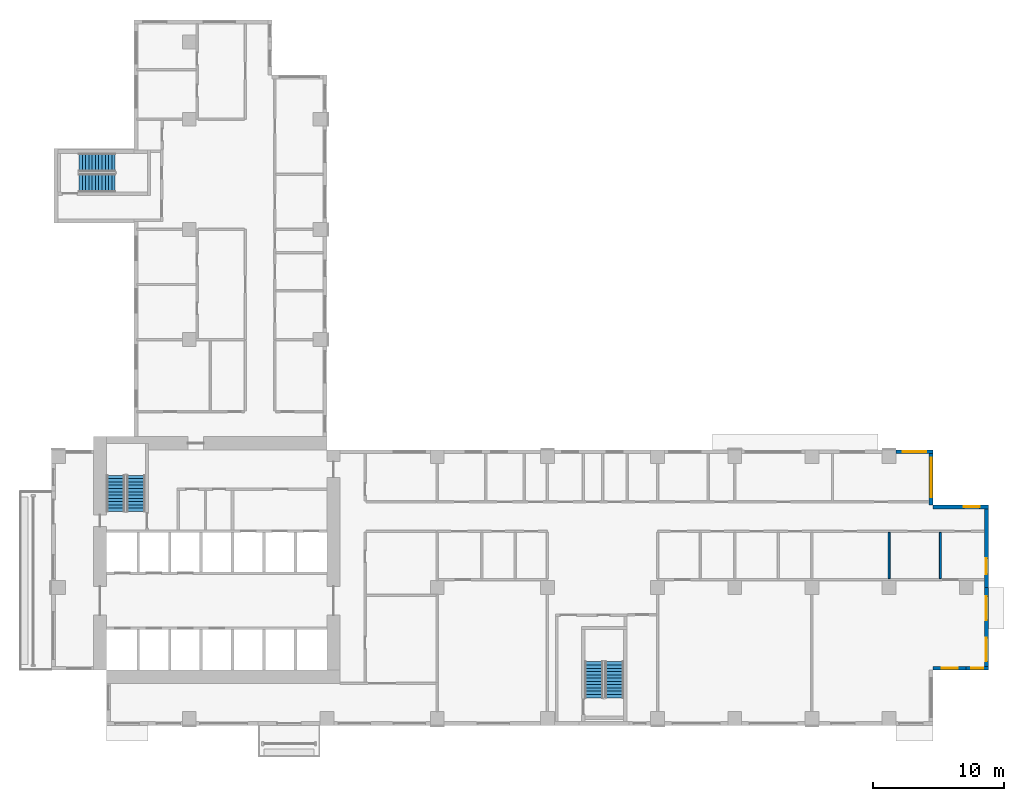
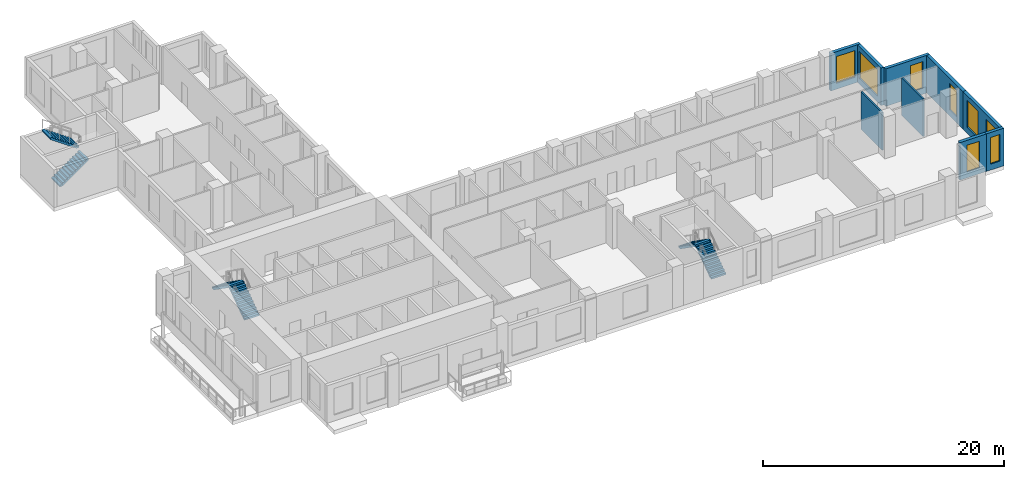
# One storey, part 8 of 13: 9 walls, 8 windows, 6 stair flights, 8 openings, 3 elements without a shape of their own.
"""IFC4 building model written with IfcOpenShell, lengths in metres."""

from ifc_helpers import new_model, si_unit, direction, frame, frame_2d, origin, place, context, subcontext, project, spatial, polyline, rectangle, outline, extrude, source, transform, mapped, material, layer, layer_set, type_object, element, fill, aggregate, save


model = new_model("IFC4")

# Units and contexts
model_context = context("Model", 3, precision=1e-05, world=origin(), true_north=direction((0.0, 1.0)))
body_context = subcontext(model_context, "Body", "Model", "MODEL_VIEW")
ifc_project = project(units=[si_unit("LENGTHUNIT", "METRE"), si_unit("AREAUNIT", "SQUARE_METRE"), si_unit("VOLUMEUNIT", "CUBIC_METRE"), si_unit("PLANEANGLEUNIT", "RADIAN"), si_unit("MASSUNIT", "GRAM", prefix="KILO")], contexts=[model_context])

# Site, building, storey
site_placement = place(None, origin())
site = spatial("IfcSite", under=ifc_project, at=site_placement, CompositionType="ELEMENT")
building_placement = place(site_placement, origin())
building = spatial("IfcBuilding", under=site, at=building_placement, Name="Aurelian Terraces", CompositionType="ELEMENT")
storey_placement = place(building_placement, frame((0.0, 0.0, 158.1)))
storey = spatial("IfcBuildingStorey", under=building, at=storey_placement, Name="L35", CompositionType="ELEMENT", Elevation=158.1)

# Wall, opening, window
ifc_material_1 = material(Name="Terracotta rainscreen cladding", Category="masonry")
ifc_layer_1 = layer(ifc_material_1, 0.3)
ifc_layer_set_1 = layer_set([ifc_layer_1], Name="EW-300")
wall_type_1 = type_object("IfcWallType", Name="EW-300", PredefinedType="STANDARD", material=ifc_layer_set_1)
shared_shape_1 = source(origin(), body_context, "Body", "SweptSolid", [
    extrude(rectangle(XDim=4.2, YDim=0.3, at=frame_2d((2.1, 0.0))), origin(), (0.0, 0.0, 1.0), 3.8),
])
wall_1_placement = place(storey_placement, frame((71.4, 16.65, 0.0), z_axis=(0.0, 0.0, 1.0), x_axis=(-1.0, 0.0, 0.0)))
wall_1 = element("IfcWall", 1, at=wall_1_placement, inside=storey, type_object=wall_type_1, Name="External wall L35 F05.17", PredefinedType="STANDARD", context=body_context, shape_type="MappedRepresentation", body=[
    mapped(shared_shape_1, transform((0.0, 0.0, 0.0), scale=1.0)),
])
shared_shape_2 = source(origin(), body_context, "Body", "SweptSolid", [
    extrude(rectangle(XDim=1.2, YDim=2.7, at=frame_2d((0.6, 1.35))), frame((0.0, 0.16, 0.0), z_axis=(0.0, -1.0, 0.0), x_axis=(1.0, 0.0, 0.0)), (0.0, 0.0, 1.0), 0.32),
])
opening_1_placement = place(wall_1_placement, frame((0.66, 0.0, 0.6)))
opening_1 = element("IfcOpeningElement", 2, at=opening_1_placement, cuts=wall_1, Name="Opening W1227", PredefinedType="OPENING", context=body_context, shape_type="MappedRepresentation", body=[
    mapped(shared_shape_2, transform((0.0, 0.0, 0.0), scale=1.0)),
])
ifc_material_2 = material(Name="Clear glazing", Category="glass")
window_type_1 = type_object("IfcWindowType", Name="W-1200x2700", PartitioningType="SINGLE_PANEL", PredefinedType="WINDOW", material=ifc_material_2)
shared_shape_3 = source(origin(), body_context, "Body", "SweptSolid", [
    extrude(rectangle(XDim=1.2, YDim=2.7, at=frame_2d((0.6, 1.35))), frame((0.0, 0.03, 0.0), z_axis=(0.0, -1.0, 0.0), x_axis=(1.0, 0.0, 0.0)), (0.0, 0.0, 1.0), 0.06),
])
window_1_placement = place(opening_1_placement, origin())
window_1 = element("IfcWindow", 3, at=window_1_placement, inside=storey, type_object=window_type_1, Name="Window L35 L35-F05-17-0", OverallHeight=2.7, OverallWidth=1.2, PartitioningType="SINGLE_PANEL", PredefinedType="WINDOW", context=body_context, shape_type="MappedRepresentation", body=[
    mapped(shared_shape_3, transform((0.0, 0.0, 0.0), scale=1.0)),
])
fill(opening_1, window_1)

wall_2_placement = place(storey_placement, frame((67.05, 16.8, 0.0), z_axis=(0.0, 0.0, 1.0), x_axis=(0.0, 1.0, 0.0)))
wall_2 = element("IfcWall", 4, at=wall_2_placement, inside=storey, type_object=wall_type_1, Name="External wall L35 F06.18", PredefinedType="STANDARD", context=body_context, shape_type="MappedRepresentation", body=[
    mapped(shared_shape_1, transform((0.0, 0.0, 0.0), scale=1.0)),
])
shared_shape_4 = source(origin(), body_context, "Body", "SweptSolid", [
    extrude(rectangle(XDim=3.0, YDim=2.7, at=frame_2d((1.5, 1.35))), frame((0.0, 0.16, 0.0), z_axis=(0.0, -1.0, 0.0), x_axis=(1.0, 0.0, 0.0)), (0.0, 0.0, 1.0), 0.32),
])
opening_2_placement = place(wall_2_placement, frame((0.6, 0.0, 0.6)))
opening_2 = element("IfcOpeningElement", 5, at=opening_2_placement, cuts=wall_2, Name="Opening W3027", PredefinedType="OPENING", context=body_context, shape_type="MappedRepresentation", body=[
    mapped(shared_shape_4, transform((0.0, 0.0, 0.0), scale=1.0)),
])
window_type_2 = type_object("IfcWindowType", Name="W-3000x2700", PartitioningType="SINGLE_PANEL", PredefinedType="WINDOW", material=ifc_material_2)
shared_shape_5 = source(origin(), body_context, "Body", "SweptSolid", [
    extrude(rectangle(XDim=3.0, YDim=2.7, at=frame_2d((1.5, 1.35))), frame((0.0, 0.03, 0.0), z_axis=(0.0, -1.0, 0.0), x_axis=(1.0, 0.0, 0.0)), (0.0, 0.0, 1.0), 0.06),
])
window_2_placement = place(opening_2_placement, origin())
window_2 = element("IfcWindow", 6, at=window_2_placement, inside=storey, type_object=window_type_2, Name="Window L35 L35-F06-18-0", OverallHeight=2.7, OverallWidth=3.0, PartitioningType="SINGLE_PANEL", PredefinedType="WINDOW", context=body_context, shape_type="MappedRepresentation", body=[
    mapped(shared_shape_5, transform((0.0, 0.0, 0.0), scale=1.0)),
])
fill(opening_2, window_2)

shared_shape_6 = source(origin(), body_context, "Body", "SweptSolid", [
    extrude(rectangle(XDim=2.52, YDim=0.3, at=frame_2d((1.26, 0.0))), origin(), (0.0, 0.0, 1.0), 3.8),
])
wall_3_placement = place(storey_placement, frame((67.2, 4.35, 0.0), z_axis=(0.0, 0.0, 1.0), x_axis=(1.0, 0.0, 0.0)))
wall_3 = element("IfcWall", 7, at=wall_3_placement, inside=storey, type_object=wall_type_1, Name="External wall L35 F03.13", PredefinedType="STANDARD", context=body_context, shape_type="MappedRepresentation", body=[
    mapped(shared_shape_6, transform((0.0, 0.0, 0.0), scale=1.0)),
])
opening_3_placement = place(wall_3_placement, frame((0.66, 0.0, 0.6)))
opening_3 = element("IfcOpeningElement", 8, at=opening_3_placement, cuts=wall_3, Name="Opening W1227", PredefinedType="OPENING", context=body_context, shape_type="MappedRepresentation", body=[
    mapped(shared_shape_2, transform((0.0, 0.0, 0.0), scale=1.0)),
])
window_3_placement = place(opening_3_placement, origin())
window_3 = element("IfcWindow", 9, at=window_3_placement, inside=storey, type_object=window_type_1, Name="Window L35 L35-F03-13-0", OverallHeight=2.7, OverallWidth=1.2, PartitioningType="SINGLE_PANEL", PredefinedType="WINDOW", context=body_context, shape_type="MappedRepresentation", body=[
    mapped(shared_shape_3, transform((0.0, 0.0, 0.0), scale=1.0)),
])
fill(opening_3, window_3)

shared_shape_7 = source(origin(), body_context, "Body", "SweptSolid", [
    extrude(rectangle(XDim=1.68, YDim=0.3, at=frame_2d((0.84, 0.0))), origin(), (0.0, 0.0, 1.0), 3.8),
])
wall_4_placement = place(storey_placement, frame((69.72, 4.35, 0.0), z_axis=(0.0, 0.0, 1.0), x_axis=(1.0, 0.0, 0.0)))
wall_4 = element("IfcWall", 10, at=wall_4_placement, inside=storey, type_object=wall_type_1, Name="External wall L35 F03.14", PredefinedType="STANDARD", context=body_context, shape_type="MappedRepresentation", body=[
    mapped(shared_shape_7, transform((0.0, 0.0, 0.0), scale=1.0)),
])
shared_shape_8 = source(origin(), body_context, "Body", "SweptSolid", [
    extrude(rectangle(XDim=0.9, YDim=2.7, at=frame_2d((0.45, 1.35))), frame((0.0, 0.16, 0.0), z_axis=(0.0, -1.0, 0.0), x_axis=(1.0, 0.0, 0.0)), (0.0, 0.0, 1.0), 0.32),
])
opening_4_placement = place(wall_4_placement, frame((0.39, 0.0, 0.6)))
opening_4 = element("IfcOpeningElement", 11, at=opening_4_placement, cuts=wall_4, Name="Opening W0927", PredefinedType="OPENING", context=body_context, shape_type="MappedRepresentation", body=[
    mapped(shared_shape_8, transform((0.0, 0.0, 0.0), scale=1.0)),
])
window_type_3 = type_object("IfcWindowType", Name="W-900x2700", PartitioningType="SINGLE_PANEL", PredefinedType="WINDOW", material=ifc_material_2)
shared_shape_9 = source(origin(), body_context, "Body", "SweptSolid", [
    extrude(rectangle(XDim=0.9, YDim=2.7, at=frame_2d((0.45, 1.35))), frame((0.0, 0.03, 0.0), z_axis=(0.0, -1.0, 0.0), x_axis=(1.0, 0.0, 0.0)), (0.0, 0.0, 1.0), 0.06),
])
window_4_placement = place(opening_4_placement, origin())
window_4 = element("IfcWindow", 12, at=window_4_placement, inside=storey, type_object=window_type_3, Name="Window L35 L35-F03-14-P0", OverallHeight=2.7, OverallWidth=0.9, PartitioningType="SINGLE_PANEL", PredefinedType="WINDOW", context=body_context, shape_type="MappedRepresentation", body=[
    mapped(shared_shape_9, transform((0.0, 0.0, 0.0), scale=1.0)),
])
fill(opening_4, window_4)

# Wall, openings, windows
shared_shape_10 = source(origin(), body_context, "Body", "SweptSolid", [
    extrude(rectangle(XDim=6.3, YDim=0.3, at=frame_2d((3.15, 0.0))), origin(), (0.0, 0.0, 1.0), 3.8),
])
wall_5_placement = place(storey_placement, frame((71.25, 4.2, 0.0), z_axis=(0.0, 0.0, 1.0), x_axis=(0.0, 1.0, 0.0)))
wall_5 = element("IfcWall", 13, at=wall_5_placement, inside=storey, type_object=wall_type_1, Name="External wall L35 F04.15", PredefinedType="STANDARD", context=body_context, shape_type="MappedRepresentation", body=[
    mapped(shared_shape_10, transform((0.0, 0.0, 0.0), scale=1.0)),
])
shared_shape_11 = source(origin(), body_context, "Body", "SweptSolid", [
    extrude(rectangle(XDim=1.8, YDim=2.7, at=frame_2d((0.9, 1.35))), frame((0.0, 0.16, 0.0), z_axis=(0.0, -1.0, 0.0), x_axis=(1.0, 0.0, 0.0)), (0.0, 0.0, 1.0), 0.32),
])
opening_5_placement = place(wall_5_placement, frame((0.675, 0.0, 0.6)))
opening_5 = element("IfcOpeningElement", 14, at=opening_5_placement, cuts=wall_5, Name="Opening W1827", PredefinedType="OPENING", context=body_context, shape_type="MappedRepresentation", body=[
    mapped(shared_shape_11, transform((0.0, 0.0, 0.0), scale=1.0)),
])
opening_6_placement = place(wall_5_placement, frame((3.825, 0.0, 0.6)))
opening_6 = element("IfcOpeningElement", 15, at=opening_6_placement, cuts=wall_5, Name="Opening W1827", PredefinedType="OPENING", context=body_context, shape_type="MappedRepresentation", body=[
    mapped(shared_shape_11, transform((0.0, 0.0, 0.0), scale=1.0)),
])
window_type_4 = type_object("IfcWindowType", Name="W-1800x2700", PartitioningType="SINGLE_PANEL", PredefinedType="WINDOW", material=ifc_material_2)
shared_shape_12 = source(origin(), body_context, "Body", "SweptSolid", [
    extrude(rectangle(XDim=1.8, YDim=2.7, at=frame_2d((0.9, 1.35))), frame((0.0, 0.03, 0.0), z_axis=(0.0, -1.0, 0.0), x_axis=(1.0, 0.0, 0.0)), (0.0, 0.0, 1.0), 0.06),
])
window_5_placement = place(opening_5_placement, origin())
window_5 = element("IfcWindow", 16, at=window_5_placement, inside=storey, type_object=window_type_4, Name="Window L35 L35-F04-15-0", OverallHeight=2.7, OverallWidth=1.8, PartitioningType="SINGLE_PANEL", PredefinedType="WINDOW", context=body_context, shape_type="MappedRepresentation", body=[
    mapped(shared_shape_12, transform((0.0, 0.0, 0.0), scale=1.0)),
])
fill(opening_5, window_5)
window_6_placement = place(opening_6_placement, origin())
window_6 = element("IfcWindow", 17, at=window_6_placement, inside=storey, type_object=window_type_4, Name="Window L35 L35-F04-15-1", OverallHeight=2.7, OverallWidth=1.8, PartitioningType="SINGLE_PANEL", PredefinedType="WINDOW", context=body_context, shape_type="MappedRepresentation", body=[
    mapped(shared_shape_12, transform((0.0, 0.0, 0.0), scale=1.0)),
])
fill(opening_6, window_6)

# Wall, opening, window
wall_6_placement = place(storey_placement, frame((71.25, 10.5, 0.0), z_axis=(0.0, 0.0, 1.0), x_axis=(0.0, 1.0, 0.0)))
wall_6 = element("IfcWall", 18, at=wall_6_placement, inside=storey, type_object=wall_type_1, Name="External wall L35 F04.16", PredefinedType="STANDARD", context=body_context, shape_type="MappedRepresentation", body=[
    mapped(shared_shape_10, transform((0.0, 0.0, 0.0), scale=1.0)),
])
opening_7_placement = place(wall_6_placement, frame((1.025, 0.0, 0.6)))
opening_7 = element("IfcOpeningElement", 19, at=opening_7_placement, cuts=wall_6, Name="Opening W1227", PredefinedType="OPENING", context=body_context, shape_type="MappedRepresentation", body=[
    mapped(shared_shape_2, transform((0.0, 0.0, 0.0), scale=1.0)),
])
window_7_placement = place(opening_7_placement, origin())
window_7 = element("IfcWindow", 20, at=window_7_placement, inside=storey, type_object=window_type_1, Name="Window L35 L35-F04-16-0", OverallHeight=2.7, OverallWidth=1.2, PartitioningType="SINGLE_PANEL", PredefinedType="WINDOW", context=body_context, shape_type="MappedRepresentation", body=[
    mapped(shared_shape_3, transform((0.0, 0.0, 0.0), scale=1.0)),
])
fill(opening_7, window_7)

shared_shape_13 = source(origin(), body_context, "Body", "SweptSolid", [
    extrude(rectangle(XDim=2.835, YDim=0.3, at=frame_2d((1.4175, 0.0))), origin(), (0.0, 0.0, 1.0), 3.8),
])
wall_7_placement = place(storey_placement, frame((67.2, 20.85, 0.0), z_axis=(0.0, 0.0, 1.0), x_axis=(-1.0, 0.0, 0.0)))
wall_7 = element("IfcWall", 21, at=wall_7_placement, inside=storey, type_object=wall_type_1, Name="External wall L35 F07.19", PredefinedType="STANDARD", context=body_context, shape_type="MappedRepresentation", body=[
    mapped(shared_shape_13, transform((0.0, 0.0, 0.0), scale=1.0)),
])
opening_8_placement = place(wall_7_placement, frame((0.5175, 0.0, 0.6)))
opening_8 = element("IfcOpeningElement", 22, at=opening_8_placement, cuts=wall_7, Name="Opening W1827", PredefinedType="OPENING", context=body_context, shape_type="MappedRepresentation", body=[
    mapped(shared_shape_11, transform((0.0, 0.0, 0.0), scale=1.0)),
])
window_8_placement = place(opening_8_placement, origin())
window_8 = element("IfcWindow", 23, at=window_8_placement, inside=storey, type_object=window_type_4, Name="Window L35 L35-F07-19-P0", OverallHeight=2.7, OverallWidth=1.8, PartitioningType="SINGLE_PANEL", PredefinedType="WINDOW", context=body_context, shape_type="MappedRepresentation", body=[
    mapped(shared_shape_12, transform((0.0, 0.0, 0.0), scale=1.0)),
])
fill(opening_8, window_8)

# Walls
ifc_material_3 = material(Name="Gypsum board on steel studs", Category="steel")
ifc_layer_2 = layer(ifc_material_3, 0.15)
ifc_layer_set_2 = layer_set([ifc_layer_2], Name="Partition 150")
wall_type_2 = type_object("IfcWallType", Name="Partition 150", PredefinedType="PARTITIONING", material=ifc_layer_set_2)
shared_shape_14 = source(origin(), body_context, "Body", "SweptSolid", [
    extrude(rectangle(XDim=3.525, YDim=0.15, at=frame_2d((1.7625, 0.0))), origin(), (0.0, 0.0, 1.0), 3.8),
])
for number, where, z_axis, x_axis, name in (
    (24, (63.84, 11.175, 0.0), (0.0, 0.0, 1.0), (0.0, 1.0, 0.0), "Partition"),
    (25, (67.7481, 11.175, 0.0), (0.0, 0.0, 1.0), (0.0, 1.0, 0.0), "Partition"),
):
    element("IfcWall", number, at=place(storey_placement, frame(where, z_axis=z_axis, x_axis=x_axis)), inside=storey, type_object=wall_type_2, Name=name, PredefinedType="PARTITIONING", context=body_context, shape_type="MappedRepresentation", body=[
        mapped(shared_shape_14, transform((0.0, 0.0, 0.0), scale=1.0)),
    ])

# Stair, stair flights
ifc_material_4 = material(Name="Concrete fc' 40 MPa", Category="concrete")
stair_type = type_object("IfcStairType", Name="Stair 1400", PredefinedType="HALF_TURN_STAIR", material=ifc_material_4)
stair_1_placement = place(storey_placement, origin())
stair_1 = element("IfcStair", 26, at=stair_1_placement, inside=storey, type_object=stair_type, Name="L35 S1", PredefinedType="HALF_TURN_STAIR")
stair_flight_type = type_object("IfcStairFlightType", Name="Stair flight 1400", PredefinedType="STRAIGHT", material=ifc_material_4)
shared_shape_15 = source(origin(), body_context, "Body", "SweptSolid", [
    extrude(outline(polyline([(0.0, 0.0), (0.0, 0.175), (0.25, 0.175), (0.25, 0.35), (0.5, 0.35), (0.5, 0.525), (0.75, 0.525), (0.75, 0.7), (1.0, 0.7), (1.0, 0.875), (1.25, 0.875), (1.25, 1.05), (1.5, 1.05), (1.5, 1.225), (1.75, 1.225), (1.75, 1.4), (2.0, 1.4), (2.0, 1.575), (2.25, 1.575), (2.25, 1.75), (2.5, 1.75), (2.5, 1.925), (2.75, 1.925), (2.75, 2.1), (2.75, 1.7419), (0.2616, 0.0), (0.0, 0.0)])), frame((0.0, 0.7, 0.0), z_axis=(0.0, -1.0, 0.0), x_axis=(1.0, 0.0, 0.0)), (0.0, 0.0, 1.0), 1.4),
])
stair_flight_1_placement = place(storey_placement, frame((6.45, 16.3, 2e-08), z_axis=(0.0, 0.0, 1.0), x_axis=(0.0, 1.0, 0.0)))
stair_flight_1 = element("IfcStairFlight", 27, at=stair_flight_1_placement, type_object=stair_flight_type, Name="S1 flight 1", NumberOfRisers=12, NumberOfTreads=11, PredefinedType="STRAIGHT", RiserHeight=0.175, TreadLength=0.25, context=body_context, shape_type="MappedRepresentation", body=[
    mapped(shared_shape_15, transform((0.0, 0.0, 0.0), scale=1.0)),
])
stair_flight_2_placement = place(storey_placement, frame((4.9, 19.05, 2.100000019999994), z_axis=(0.0, 0.0, 1.0), x_axis=(0.0, -1.0, 0.0)))
stair_flight_2 = element("IfcStairFlight", 28, at=stair_flight_2_placement, type_object=stair_flight_type, Name="S1 flight 2", NumberOfRisers=12, NumberOfTreads=11, PredefinedType="STRAIGHT", RiserHeight=0.175, TreadLength=0.25, context=body_context, shape_type="MappedRepresentation", body=[
    mapped(shared_shape_15, transform((0.0, 0.0, 0.0), scale=1.0)),
])
aggregate(stair_1, [stair_flight_1, stair_flight_2])

stair_2_placement = place(storey_placement, origin())
stair_2 = element("IfcStair", 29, at=stair_2_placement, inside=storey, type_object=stair_type, Name="L35 S2", PredefinedType="HALF_TURN_STAIR")
stair_flight_3_placement = place(storey_placement, frame((42.9, 2.1, 2e-08), z_axis=(0.0, 0.0, 1.0), x_axis=(0.0, 1.0, 0.0)))
stair_flight_3 = element("IfcStairFlight", 30, at=stair_flight_3_placement, type_object=stair_flight_type, Name="S2 flight 1", NumberOfRisers=12, NumberOfTreads=11, PredefinedType="STRAIGHT", RiserHeight=0.175, TreadLength=0.25, context=body_context, shape_type="MappedRepresentation", body=[
    mapped(shared_shape_15, transform((0.0, 0.0, 0.0), scale=1.0)),
])
stair_flight_4_placement = place(storey_placement, frame((41.35, 4.85, 2.100000019999994), z_axis=(0.0, 0.0, 1.0), x_axis=(0.0, -1.0, 0.0)))
stair_flight_4 = element("IfcStairFlight", 31, at=stair_flight_4_placement, type_object=stair_flight_type, Name="S2 flight 2", NumberOfRisers=12, NumberOfTreads=11, PredefinedType="STRAIGHT", RiserHeight=0.175, TreadLength=0.25, context=body_context, shape_type="MappedRepresentation", body=[
    mapped(shared_shape_15, transform((0.0, 0.0, 0.0), scale=1.0)),
])
aggregate(stair_2, [stair_flight_3, stair_flight_4])

stair_3_placement = place(storey_placement, origin())
stair_3 = element("IfcStair", 32, at=stair_3_placement, inside=storey, type_object=stair_type, Name="L35 S3", PredefinedType="HALF_TURN_STAIR")
stair_flight_5_placement = place(storey_placement, frame((2.1, 41.35, 2e-08), z_axis=(0.0, 0.0, 1.0), x_axis=(1.0, 0.0, 0.0)))
stair_flight_5 = element("IfcStairFlight", 33, at=stair_flight_5_placement, type_object=stair_flight_type, Name="S3 flight 1", NumberOfRisers=12, NumberOfTreads=11, PredefinedType="STRAIGHT", RiserHeight=0.175, TreadLength=0.25, context=body_context, shape_type="MappedRepresentation", body=[
    mapped(shared_shape_15, transform((0.0, 0.0, 0.0), scale=1.0)),
])
stair_flight_6_placement = place(storey_placement, frame((4.85, 42.9, 2.100000019999994), z_axis=(0.0, 0.0, 1.0), x_axis=(-1.0, 0.0, 0.0)))
stair_flight_6 = element("IfcStairFlight", 34, at=stair_flight_6_placement, type_object=stair_flight_type, Name="S3 flight 2", NumberOfRisers=12, NumberOfTreads=11, PredefinedType="STRAIGHT", RiserHeight=0.175, TreadLength=0.25, context=body_context, shape_type="MappedRepresentation", body=[
    mapped(shared_shape_15, transform((0.0, 0.0, 0.0), scale=1.0)),
])
aggregate(stair_3, [stair_flight_5, stair_flight_6])

save(model, "model.ifc")
